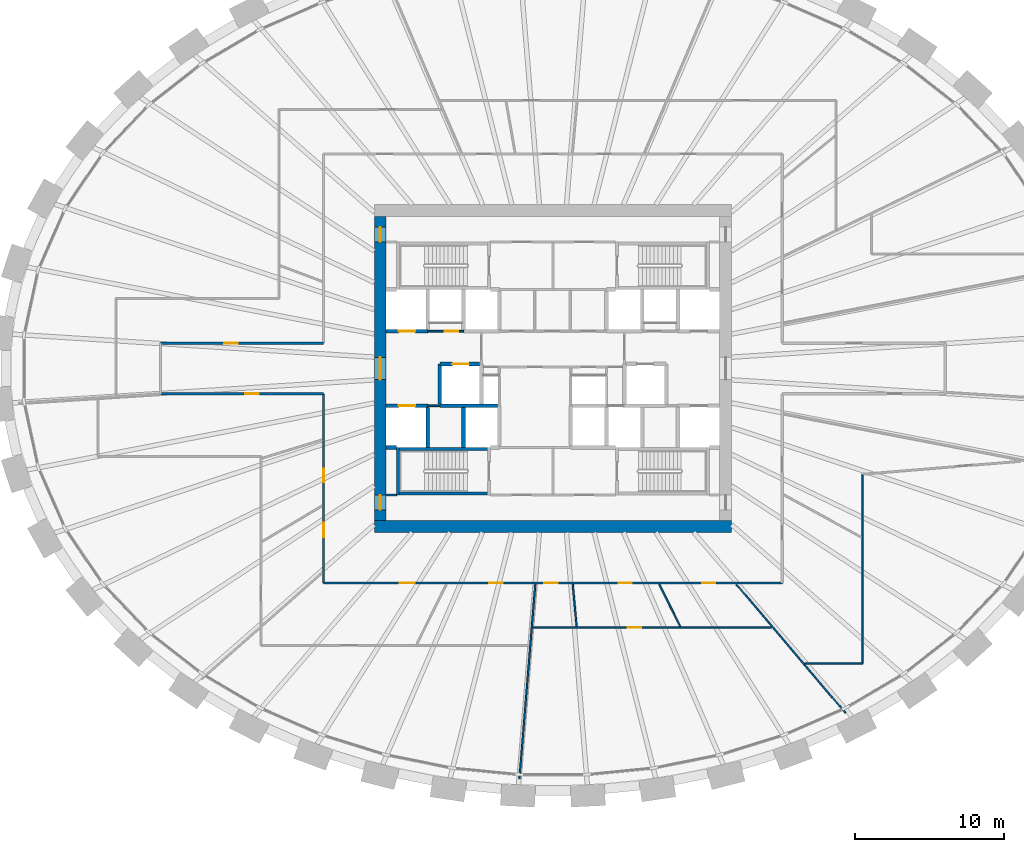
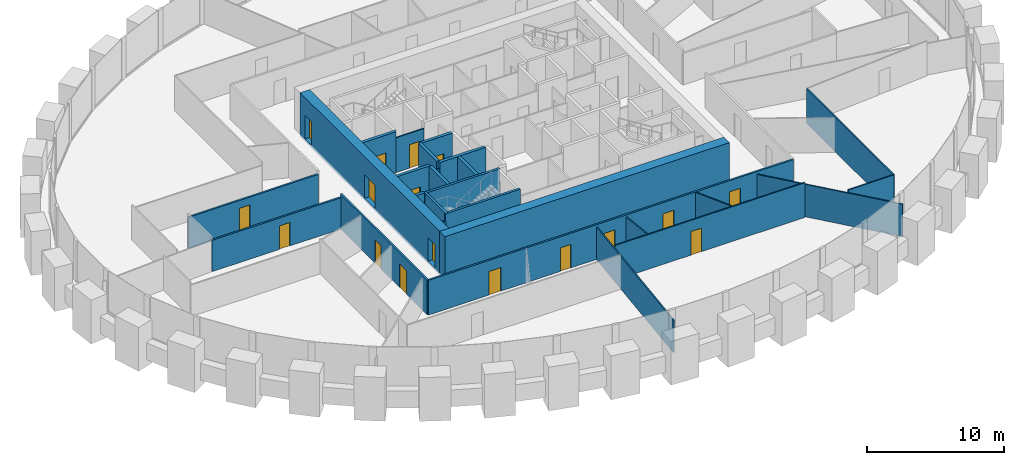
# One storey, part 6 of 10: 27 walls, 17 doors, 17 openings.
"""IFC4 building model written with IfcOpenShell, lengths in metres."""

from ifc_helpers import new_model, si_unit, direction, frame, frame_2d, origin, place, context, subcontext, project, spatial, rectangle, extrude, source, transform, mapped, material, layer, layer_set, type_object, element, fill, save


model = new_model("IFC4")

# Units and contexts
model_context = context("Model", 3, precision=1e-05, world=origin(), true_north=direction((0.0, 1.0)))
body_context = subcontext(model_context, "Body", "Model", "MODEL_VIEW")
ifc_project = project(units=[si_unit("LENGTHUNIT", "METRE"), si_unit("AREAUNIT", "SQUARE_METRE"), si_unit("VOLUMEUNIT", "CUBIC_METRE"), si_unit("PLANEANGLEUNIT", "RADIAN"), si_unit("MASSUNIT", "GRAM", prefix="KILO")], contexts=[model_context])

# Site, building, storey
site_placement = place(None, origin())
site = spatial("IfcSite", under=ifc_project, at=site_placement, CompositionType="ELEMENT")
building_placement = place(site_placement, origin())
building = spatial("IfcBuilding", under=site, at=building_placement, Name="Embergate Tower", CompositionType="ELEMENT")
storey_placement = place(building_placement, frame((0.0, 0.0, 183.300048828125)))
storey = spatial("IfcBuildingStorey", under=building, at=storey_placement, Name="L41", CompositionType="ELEMENT", Elevation=183.300048828125)

# Wall
ifc_material_1 = material(Name="Concrete C70", Category="concrete")
ifc_layer_1 = layer(ifc_material_1, 0.800048828125)
ifc_layer_set_1 = layer_set([ifc_layer_1], Name="Concrete C70")
wall_type_1 = type_object("IfcWallType", Name="Core outer wall C70 800", PredefinedType="SHEAR", material=ifc_layer_set_1)
shared_shape_1 = source(origin(), body_context, "Body", "SweptSolid", [
    extrude(rectangle(XDim=24.0, YDim=0.800048828125, at=frame_2d((12.0, 0.0))), origin(), (0.0, 0.0, 1.0), 3.89990234375),
])
wall_1_placement = place(storey_placement, frame((-12.0, -10.60009765625, -0.199951171875), z_axis=(0.0, 0.0, 1.0), x_axis=(1.0, 0.0, 0.0)))
element("IfcWall", 1, at=wall_1_placement, inside=storey, type_object=wall_type_1, Name="CW-L41-S", PredefinedType="SHEAR", context=body_context, shape_type="MappedRepresentation", body=[
    mapped(shared_shape_1, transform((0.0, 0.0, 0.0))),
])

# Wall, openings, doors
shared_shape_2 = source(origin(), body_context, "Body", "SweptSolid", [
    extrude(rectangle(XDim=20.39990234375, YDim=0.800048828125, at=frame_2d((10.199951171875, 0.0))), origin(), (0.0, 0.0, 1.0), 3.89990234375),
])
wall_2_placement = place(storey_placement, frame((-11.60009765625, -10.199951171875, -0.199951171875), z_axis=(0.0, 0.0, 1.0), x_axis=(0.0, 1.0, 0.0)))
wall_2 = element("IfcWall", 2, at=wall_2_placement, inside=storey, type_object=wall_type_1, Name="CW-L41-W", PredefinedType="SHEAR", context=body_context, shape_type="MappedRepresentation", body=[
    mapped(shared_shape_2, transform((0.0, 0.0, 0.0))),
])
shared_shape_3 = source(origin(), body_context, "Body", "SweptSolid", [
    extrude(rectangle(XDim=1.0, YDim=2.10009765625, at=frame_2d((0.5, 1.050048828125))), frame((0.0, 0.409912109375, 0.0), z_axis=(0.0, -1.0, 0.0), x_axis=(1.0, 0.0, 0.0)), (0.0, 0.0, 1.0), 0.820068359375),
])
opening_1_placement = place(wall_2_placement, frame((18.699951171875, 0.0, 0.199951171875)))
opening_1 = element("IfcOpeningElement", 3, at=opening_1_placement, cuts=wall_2, Name="Opening IF-1d", PredefinedType="OPENING", context=body_context, shape_type="MappedRepresentation", body=[
    mapped(shared_shape_3, transform((0.0, 0.0, 0.0))),
])
opening_2_placement = place(wall_2_placement, frame((0.699951171875, 0.0, 0.199951171875)))
opening_2 = element("IfcOpeningElement", 4, at=opening_2_placement, cuts=wall_2, Name="Opening IF-1d", PredefinedType="OPENING", context=body_context, shape_type="MappedRepresentation", body=[
    mapped(shared_shape_3, transform((0.0, 0.0, 0.0))),
])
shared_shape_4 = source(origin(), body_context, "Body", "SweptSolid", [
    extrude(rectangle(XDim=1.5, YDim=2.10009765625, at=frame_2d((0.75, 1.050048828125))), frame((0.0, 0.409912109375, 0.0), z_axis=(0.0, -1.0, 0.0), x_axis=(1.0, 0.0, 0.0)), (0.0, 0.0, 1.0), 0.820068359375),
])
opening_3_placement = place(wall_2_placement, frame((9.449951171875, 0.0, 0.199951171875)))
opening_3 = element("IfcOpeningElement", 5, at=opening_3_placement, cuts=wall_2, Name="Opening IF-3", PredefinedType="OPENING", context=body_context, shape_type="MappedRepresentation", body=[
    mapped(shared_shape_4, transform((0.0, 0.0, 0.0))),
])
ifc_material_2 = material(Name="Lobby fire door pair 1500")
door_type_1 = type_object("IfcDoorType", Name="Lobby fire door pair 1500", OperationType="DOUBLE_DOOR_SINGLE_SWING", PredefinedType="DOOR", material=ifc_material_2)
shared_shape_5 = source(origin(), body_context, "Body", "SweptSolid", [
    extrude(rectangle(XDim=1.5, YDim=2.10009765625, at=frame_2d((0.75, 1.050048828125))), frame((0.0, 0.02490234375, 0.0), z_axis=(0.0, -1.0, 0.0), x_axis=(1.0, 0.0, 0.0)), (0.0, 0.0, 1.0), 0.050048828125),
])
door_1_placement = place(opening_3_placement, origin())
door_1 = element("IfcDoor", 6, at=door_1_placement, inside=storey, type_object=door_type_1, Name="IF-3 door", OperationType="DOUBLE_DOOR_SINGLE_SWING", OverallHeight=2.10009765625, OverallWidth=1.5, PredefinedType="DOOR", context=body_context, shape_type="MappedRepresentation", body=[
    mapped(shared_shape_5, transform((0.0, 0.0, 0.0))),
])
fill(opening_3, door_1)
ifc_material_3 = material(Name="Escape fire door 1000")
door_type_2 = type_object("IfcDoorType", Name="Escape fire door 1000", OperationType="SINGLE_SWING_LEFT", PredefinedType="DOOR", material=ifc_material_3)
shared_shape_6 = source(origin(), body_context, "Body", "SweptSolid", [
    extrude(rectangle(XDim=1.0, YDim=2.10009765625, at=frame_2d((0.5, 1.050048828125))), frame((0.0, 0.02490234375, 0.0), z_axis=(0.0, -1.0, 0.0), x_axis=(1.0, 0.0, 0.0)), (0.0, 0.0, 1.0), 0.050048828125),
])
door_2_placement = place(opening_1_placement, origin())
door_2 = element("IfcDoor", 7, at=door_2_placement, inside=storey, type_object=door_type_2, Name="IF-1 door", OperationType="SINGLE_SWING_LEFT", OverallHeight=2.10009765625, OverallWidth=1.0, PredefinedType="DOOR", context=body_context, shape_type="MappedRepresentation", body=[
    mapped(shared_shape_6, transform((0.0, 0.0, 0.0))),
])
fill(opening_1, door_2)
door_3_placement = place(opening_2_placement, origin())
door_3 = element("IfcDoor", 8, at=door_3_placement, inside=storey, type_object=door_type_2, Name="IF-1 door", OperationType="SINGLE_SWING_RIGHT", OverallHeight=2.10009765625, OverallWidth=1.0, PredefinedType="DOOR", context=body_context, shape_type="MappedRepresentation", body=[
    mapped(shared_shape_6, transform((0.0, 0.0, 0.0))),
])
fill(opening_2, door_3)

# Wall, opening, door
ifc_material_4 = material(Name="Concrete C50", Category="concrete")
ifc_layer_2 = layer(ifc_material_4, 0.25)
ifc_layer_set_2 = layer_set([ifc_layer_2], Name="Concrete C50")
wall_type_2 = type_object("IfcWallType", Name="Hoistway wall reinforced concrete 250", PredefinedType="SHEAR", material=ifc_layer_set_2)
shared_shape_7 = source(origin(), body_context, "Body", "SweptSolid", [
    extrude(rectangle(XDim=2.675048828125, YDim=0.25, at=frame_2d((1.33740234375, 0.0))), origin(), (0.0, 0.0, 1.0), 3.699951171875),
])
wall_3_placement = place(storey_placement, frame((-4.925048828125, 0.300048828125, 0.0), z_axis=(0.0, 0.0, 1.0), x_axis=(-1.0, 0.0, 0.0)))
wall_3 = element("IfcWall", 9, at=wall_3_placement, inside=storey, type_object=wall_type_2, Name="HW-1 wall", PredefinedType="SHEAR", context=body_context, shape_type="MappedRepresentation", body=[
    mapped(shared_shape_7, transform((0.0, 0.0, 0.0))),
])
shared_shape_8 = source(origin(), body_context, "Body", "SweptSolid", [
    extrude(rectangle(XDim=1.10009765625, YDim=2.10009765625, at=frame_2d((0.550048828125, 1.050048828125))), frame((0.0, 0.135009765625, 0.0), z_axis=(0.0, -1.0, 0.0), x_axis=(1.0, 0.0, 0.0)), (0.0, 0.0, 1.0), 0.27001953125),
])
opening_4_placement = place(wall_3_placement, frame((0.72509765625, 0.0, 0.0)))
opening_4 = element("IfcOpeningElement", 10, at=opening_4_placement, cuts=wall_3, Name="Opening LD", PredefinedType="OPENING", context=body_context, shape_type="MappedRepresentation", body=[
    mapped(shared_shape_8, transform((0.0, 0.0, 0.0))),
])
ifc_material_5 = material(Name="Landing door sliding 1100")
door_type_3 = type_object("IfcDoorType", Name="Landing door sliding 1100", OperationType="SLIDING_TO_LEFT", PredefinedType="DOOR", material=ifc_material_5)
shared_shape_9 = source(origin(), body_context, "Body", "SweptSolid", [
    extrude(rectangle(XDim=1.10009765625, YDim=2.10009765625, at=frame_2d((0.550048828125, 1.050048828125))), frame((0.0, 0.02490234375, 0.0), z_axis=(0.0, -1.0, 0.0), x_axis=(1.0, 0.0, 0.0)), (0.0, 0.0, 1.0), 0.050048828125),
])
door_4_placement = place(opening_4_placement, origin())
door_4 = element("IfcDoor", 11, at=door_4_placement, inside=storey, type_object=door_type_3, Name="LD door", OperationType="SLIDING_TO_RIGHT", OverallHeight=2.10009765625, OverallWidth=1.10009765625, PredefinedType="DOOR", context=body_context, shape_type="MappedRepresentation", body=[
    mapped(shared_shape_9, transform((0.0, 0.0, 0.0))),
])
fill(opening_4, door_4)

# Walls
wall_4_placement = place(storey_placement, frame((-7.60009765625, 0.300048828125, 0.0), z_axis=(0.0, 0.0, 1.0), x_axis=(0.0, -1.0, 0.0)))
element("IfcWall", 12, at=wall_4_placement, inside=storey, type_object=wall_type_2, Name="HW-1 wall", PredefinedType="SHEAR", context=body_context, shape_type="MappedRepresentation", body=[
    mapped(shared_shape_7, transform((0.0, 0.0, 0.0))),
])
ifc_layer_3 = layer(ifc_material_4, 0.199951171875)
ifc_layer_set_3 = layer_set([ifc_layer_3], Name="Concrete C50")
wall_type_3 = type_object("IfcWallType", Name="Stair enclosure wall reinforced concrete 250", PredefinedType="SHEAR", material=ifc_layer_set_3)
shared_shape_10 = source(origin(), body_context, "Body", "SweptSolid", [
    extrude(rectangle(XDim=6.300048828125, YDim=0.199951171875, at=frame_2d((3.14990234375, 0.0))), origin(), (0.0, 0.0, 1.0), 3.699951171875),
])
for number, where, z_axis, x_axis, name in (
    (13, (-10.5, -5.39990234375, 0.0), (0.0, 0.0, 1.0), (1.0, 0.0, 0.0), "SE-1 wall"),
    (14, (-10.5, -8.39990234375, 0.0), (0.0, 0.0, 1.0), (1.0, 0.0, 0.0), "SE-1 wall"),
):
    element("IfcWall", number, at=place(storey_placement, frame(where, z_axis=z_axis, x_axis=x_axis)), inside=storey, type_object=wall_type_3, Name=name, PredefinedType="SHEAR", context=body_context, shape_type="MappedRepresentation", body=[
        mapped(shared_shape_10, transform((0.0, 0.0, 0.0))),
    ])

# Wall, opening, door
shared_shape_11 = source(origin(), body_context, "Body", "SweptSolid", [
    extrude(rectangle(XDim=2.800048828125, YDim=0.25, at=frame_2d((1.39990234375, 0.0))), origin(), (0.0, 0.0, 1.0), 3.699951171875),
])
wall_5_placement = place(storey_placement, frame((-11.199951171875, 2.5, 0.0), z_axis=(0.0, 0.0, 1.0), x_axis=(1.0, 0.0, 0.0)))
wall_5 = element("IfcWall", 15, at=wall_5_placement, inside=storey, type_object=wall_type_2, Name="HW-1 wall", PredefinedType="SHEAR", context=body_context, shape_type="MappedRepresentation", body=[
    mapped(shared_shape_11, transform((0.0, 0.0, 0.0))),
])
opening_5_placement = place(wall_5_placement, frame((0.85009765625, 0.0, 0.0)))
opening_5 = element("IfcOpeningElement", 16, at=opening_5_placement, cuts=wall_5, Name="Opening LD", PredefinedType="OPENING", context=body_context, shape_type="MappedRepresentation", body=[
    mapped(shared_shape_8, transform((0.0, 0.0, 0.0))),
])
door_5_placement = place(opening_5_placement, origin())
door_5 = element("IfcDoor", 17, at=door_5_placement, inside=storey, type_object=door_type_3, Name="LD door", OperationType="SLIDING_TO_LEFT", OverallHeight=2.10009765625, OverallWidth=1.10009765625, PredefinedType="DOOR", context=body_context, shape_type="MappedRepresentation", body=[
    mapped(shared_shape_9, transform((0.0, 0.0, 0.0))),
])
fill(opening_5, door_5)

wall_6_placement = place(storey_placement, frame((-8.39990234375, -2.5, 0.0), z_axis=(0.0, 0.0, 1.0), x_axis=(-1.0, 0.0, 0.0)))
wall_6 = element("IfcWall", 18, at=wall_6_placement, inside=storey, type_object=wall_type_2, Name="HW-1 wall", PredefinedType="SHEAR", context=body_context, shape_type="MappedRepresentation", body=[
    mapped(shared_shape_11, transform((0.0, 0.0, 0.0))),
])
opening_6_placement = place(wall_6_placement, frame((0.85009765625, 0.0, 0.0)))
opening_6 = element("IfcOpeningElement", 19, at=opening_6_placement, cuts=wall_6, Name="Opening LD", PredefinedType="OPENING", context=body_context, shape_type="MappedRepresentation", body=[
    mapped(shared_shape_8, transform((0.0, 0.0, 0.0))),
])
door_6_placement = place(opening_6_placement, origin())
door_6 = element("IfcDoor", 20, at=door_6_placement, inside=storey, type_object=door_type_3, Name="LD door", OperationType="SLIDING_TO_LEFT", OverallHeight=2.10009765625, OverallWidth=1.10009765625, PredefinedType="DOOR", context=body_context, shape_type="MappedRepresentation", body=[
    mapped(shared_shape_9, transform((0.0, 0.0, 0.0))),
])
fill(opening_6, door_6)

# Walls
shared_shape_12 = source(origin(), body_context, "Body", "SweptSolid", [
    extrude(rectangle(XDim=3.872802734375, YDim=0.25, at=frame_2d((1.9365234375, 0.0))), origin(), (0.0, 0.0, 1.0), 3.699951171875),
])
wall_7_placement = place(storey_placement, frame((-3.72509765625, -2.5, 0.0), z_axis=(0.0, 0.0, 1.0), x_axis=(-1.0, 0.0, 0.0)))
element("IfcWall", 21, at=wall_7_placement, inside=storey, type_object=wall_type_2, Name="HW-1 wall", PredefinedType="SHEAR", context=body_context, shape_type="MappedRepresentation", body=[
    mapped(shared_shape_12, transform((0.0, 0.0, 0.0))),
])
shared_shape_13 = source(origin(), body_context, "Body", "SweptSolid", [
    extrude(rectangle(XDim=3.196044921875, YDim=0.199951171875, at=frame_2d((1.59814453125, 0.0))), origin(), (0.0, 0.0, 1.0), 3.699951171875),
])
wall_8_placement = place(storey_placement, frame((-10.39990234375, -5.302001953125, 0.0), z_axis=(0.0, 0.0, 1.0), x_axis=(0.0, -1.0, 0.0)))
element("IfcWall", 22, at=wall_8_placement, inside=storey, type_object=wall_type_3, Name="SE-1 wall", PredefinedType="SHEAR", context=body_context, shape_type="MappedRepresentation", body=[
    mapped(shared_shape_13, transform((0.0, 0.0, 0.0))),
])
shared_shape_14 = source(origin(), body_context, "Body", "SweptSolid", [
    extrude(rectangle(XDim=0.697998046875, YDim=0.25, at=frame_2d((0.34912109375, 0.0))), origin(), (0.0, 0.0, 1.0), 3.699951171875),
])
wall_9_placement = place(storey_placement, frame((-11.199951171875, -5.300048828125, 0.0), z_axis=(0.0, 0.0, 1.0), x_axis=(1.0, 0.0, 0.0)))
element("IfcWall", 23, at=wall_9_placement, inside=storey, type_object=wall_type_2, Name="HW-1 wall", PredefinedType="SHEAR", context=body_context, shape_type="MappedRepresentation", body=[
    mapped(shared_shape_14, transform((0.0, 0.0, 0.0))),
])
shared_shape_15 = source(origin(), body_context, "Body", "SweptSolid", [
    extrude(rectangle(XDim=2.671142578125, YDim=0.25, at=frame_2d((1.33544921875, 0.0))), origin(), (0.0, 0.0, 1.0), 3.699951171875),
])
for number, where, z_axis, x_axis, name in (
    (24, (-8.39990234375, -5.298095703125, 0.0), (0.0, 0.0, 1.0), (0.0, 1.0, 0.0), "HW-1 wall"),
    (25, (-6.0, -2.626953125, 0.0), (0.0, 0.0, 1.0), (0.0, -1.0, 0.0), "HW-1 wall"),
):
    element("IfcWall", number, at=place(storey_placement, frame(where, z_axis=z_axis, x_axis=x_axis)), inside=storey, type_object=wall_type_2, Name=name, PredefinedType="SHEAR", context=body_context, shape_type="MappedRepresentation", body=[
        mapped(shared_shape_15, transform((0.0, 0.0, 0.0))),
    ])

# Wall, opening, door
ifc_material_6 = material(Name="Corridor wall dry-lined 150")
ifc_layer_4 = layer(ifc_material_6, 0.14990234375)
ifc_layer_set_4 = layer_set([ifc_layer_4], Name="Corridor wall dry-lined 150")
wall_type_4 = type_object("IfcWallType", Name="Corridor wall dry-lined 150", PredefinedType="PARTITIONING", material=ifc_layer_set_4)
shared_shape_16 = source(origin(), body_context, "Body", "SweptSolid", [
    extrude(rectangle(XDim=10.9501953125, YDim=0.14990234375, at=frame_2d((5.47509765625, 0.0))), origin(), (0.0, 0.0, 1.0), 2.800048828125),
])
wall_10_placement = place(storey_placement, frame((-15.39990234375, -1.699951171875, 0.0), z_axis=(0.0, 0.0, 1.0), x_axis=(-1.0, 0.0, 0.0)))
wall_10 = element("IfcWall", 26, at=wall_10_placement, inside=storey, type_object=wall_type_4, Name="IP-2 wall", PredefinedType="PARTITIONING", context=body_context, shape_type="MappedRepresentation", body=[
    mapped(shared_shape_16, transform((0.0, 0.0, 0.0))),
])
shared_shape_17 = source(origin(), body_context, "Body", "SweptSolid", [
    extrude(rectangle(XDim=0.89990234375, YDim=2.10009765625, at=frame_2d((0.449951171875, 1.050048828125))), frame((0.0, 0.0849609375, 0.0), z_axis=(0.0, -1.0, 0.0), x_axis=(1.0, 0.0, 0.0)), (0.0, 0.0, 1.0), 0.169921875),
])
opening_7_placement = place(wall_10_placement, frame((4.364013671875, 0.0, 0.0)))
opening_7 = element("IfcOpeningElement", 27, at=opening_7_placement, cuts=wall_10, Name="Opening IF-1c", PredefinedType="OPENING", context=body_context, shape_type="MappedRepresentation", body=[
    mapped(shared_shape_17, transform((0.0, 0.0, 0.0))),
])
ifc_material_7 = material(Name="Escape fire door 900")
door_type_4 = type_object("IfcDoorType", Name="Escape fire door 900", OperationType="SINGLE_SWING_LEFT", PredefinedType="DOOR", material=ifc_material_7)
shared_shape_18 = source(origin(), body_context, "Body", "SweptSolid", [
    extrude(rectangle(XDim=0.89990234375, YDim=2.10009765625, at=frame_2d((0.449951171875, 1.050048828125))), frame((0.0, 0.02490234375, 0.0), z_axis=(0.0, -1.0, 0.0), x_axis=(1.0, 0.0, 0.0)), (0.0, 0.0, 1.0), 0.050048828125),
])
door_7_placement = place(opening_7_placement, origin())
door_7 = element("IfcDoor", 28, at=door_7_placement, inside=storey, type_object=door_type_4, Name="IF-1 door", OperationType="SINGLE_SWING_RIGHT", OverallHeight=2.10009765625, OverallWidth=0.89990234375, PredefinedType="DOOR", context=body_context, shape_type="MappedRepresentation", body=[
    mapped(shared_shape_18, transform((0.0, 0.0, 0.0))),
])
fill(opening_7, door_7)

wall_11_placement = place(storey_placement, frame((-26.35009765625, 1.699951171875, 0.0), z_axis=(0.0, 0.0, 1.0), x_axis=(1.0, 0.0, 0.0)))
wall_11 = element("IfcWall", 29, at=wall_11_placement, inside=storey, type_object=wall_type_4, Name="IP-2 wall", PredefinedType="PARTITIONING", context=body_context, shape_type="MappedRepresentation", body=[
    mapped(shared_shape_16, transform((0.0, 0.0, 0.0))),
])
opening_8_placement = place(wall_11_placement, frame((4.26904296875, 0.0, 0.0)))
opening_8 = element("IfcOpeningElement", 30, at=opening_8_placement, cuts=wall_11, Name="Opening IF-1c", PredefinedType="OPENING", context=body_context, shape_type="MappedRepresentation", body=[
    mapped(shared_shape_17, transform((0.0, 0.0, 0.0))),
])
door_8_placement = place(opening_8_placement, origin())
door_8 = element("IfcDoor", 31, at=door_8_placement, inside=storey, type_object=door_type_4, Name="IF-1 door", OperationType="SINGLE_SWING_RIGHT", OverallHeight=2.10009765625, OverallWidth=0.89990234375, PredefinedType="DOOR", context=body_context, shape_type="MappedRepresentation", body=[
    mapped(shared_shape_18, transform((0.0, 0.0, 0.0))),
])
fill(opening_8, door_8)

ifc_material_8 = material(Name="Core partition blockwork 120")
ifc_layer_5 = layer(ifc_material_8, 0.1201171875)
ifc_layer_set_5 = layer_set([ifc_layer_5], Name="Core partition blockwork 120")
wall_type_5 = type_object("IfcWallType", Name="Core partition blockwork 120", PredefinedType="PARTITIONING", material=ifc_layer_set_5)
shared_shape_19 = source(origin(), body_context, "Body", "SweptSolid", [
    extrude(rectangle(XDim=2.39990234375, YDim=0.1201171875, at=frame_2d((1.199951171875, 0.0))), origin(), (0.0, 0.0, 1.0), 3.099853515625),
])
wall_12_placement = place(storey_placement, frame((-8.39990234375, 2.5, 0.0), z_axis=(0.0, 0.0, 1.0), x_axis=(1.0, 0.0, 0.0)))
wall_12 = element("IfcWall", 32, at=wall_12_placement, inside=storey, type_object=wall_type_5, Name="IP-3 wall", PredefinedType="PARTITIONING", context=body_context, shape_type="MappedRepresentation", body=[
    mapped(shared_shape_19, transform((0.0, 0.0, 0.0))),
])
shared_shape_20 = source(origin(), body_context, "Body", "SweptSolid", [
    extrude(rectangle(XDim=0.89990234375, YDim=2.10009765625, at=frame_2d((0.449951171875, 1.050048828125))), frame((0.0, 0.070068359375, 0.0), z_axis=(0.0, -1.0, 0.0), x_axis=(1.0, 0.0, 0.0)), (0.0, 0.0, 1.0), 0.14013671875),
])
opening_9_placement = place(wall_12_placement, frame((1.14990234375, 0.0, 0.0)))
opening_9 = element("IfcOpeningElement", 33, at=opening_9_placement, cuts=wall_12, Name="Opening ID-1", PredefinedType="OPENING", context=body_context, shape_type="MappedRepresentation", body=[
    mapped(shared_shape_20, transform((0.0, 0.0, 0.0))),
])
ifc_material_9 = material(Name="Interior door 900")
door_type_5 = type_object("IfcDoorType", Name="Interior door 900", OperationType="SINGLE_SWING_LEFT", PredefinedType="DOOR", material=ifc_material_9)
door_9_placement = place(opening_9_placement, origin())
door_9 = element("IfcDoor", 34, at=door_9_placement, inside=storey, type_object=door_type_5, Name="ID-1 door", OperationType="SINGLE_SWING_RIGHT", OverallHeight=2.10009765625, OverallWidth=0.89990234375, PredefinedType="DOOR", context=body_context, shape_type="MappedRepresentation", body=[
    mapped(shared_shape_18, transform((0.0, 0.0, 0.0))),
])
fill(opening_9, door_9)

# Walls
shared_shape_21 = source(origin(), body_context, "Body", "SweptSolid", [
    extrude(rectangle(XDim=0.7958984375, YDim=0.1201171875, at=frame_2d((0.39794921875, 0.0))), origin(), (0.0, 0.0, 1.0), 3.099853515625),
])
wall_13_placement = place(storey_placement, frame((-8.39794921875, -2.5, 0.0), z_axis=(0.0, 0.0, 1.0), x_axis=(1.0, 0.0, 0.0)))
element("IfcWall", 35, at=wall_13_placement, inside=storey, type_object=wall_type_5, Name="IP-3 wall", PredefinedType="PARTITIONING", context=body_context, shape_type="MappedRepresentation", body=[
    mapped(shared_shape_21, transform((0.0, 0.0, 0.0))),
])
shared_shape_22 = source(origin(), body_context, "Body", "SweptSolid", [
    extrude(rectangle(XDim=0.697998046875, YDim=0.1201171875, at=frame_2d((0.34912109375, 0.0))), origin(), (0.0, 0.0, 1.0), 3.099853515625),
])
wall_14_placement = place(storey_placement, frame((-10.501953125, -8.5, 0.0), z_axis=(0.0, 0.0, 1.0), x_axis=(-1.0, 0.0, 0.0)))
element("IfcWall", 36, at=wall_14_placement, inside=storey, type_object=wall_type_5, Name="IP-3 wall", PredefinedType="PARTITIONING", context=body_context, shape_type="MappedRepresentation", body=[
    mapped(shared_shape_22, transform((0.0, 0.0, 0.0))),
])
ifc_material_10 = material(Name="Partition dry-lined 100 wet")
ifc_layer_6 = layer(ifc_material_10, 0.10009765625)
ifc_layer_set_6 = layer_set([ifc_layer_6], Name="Partition dry-lined 100 wet")
wall_type_6 = type_object("IfcWallType", Name="Partition dry-lined 100 wet", PredefinedType="PLUMBINGWALL", material=ifc_layer_set_6)
shared_shape_23 = source(origin(), body_context, "Body", "SweptSolid", [
    extrude(rectangle(XDim=2.88720703125, YDim=0.10009765625, at=frame_2d((1.443603515625, 0.0))), origin(), (0.0, 0.0, 1.0), 2.89990234375),
])
wall_15_placement = place(storey_placement, frame((1.327880859375, -14.47509765625, 0.0), z_axis=(0.0, 0.0, 1.0), x_axis=(0.09149638687, -0.995805408295, 0.0)))
element("IfcWall", 37, at=wall_15_placement, inside=storey, type_object=wall_type_6, Name="IP-1 wall", PredefinedType="PLUMBINGWALL", context=body_context, shape_type="MappedRepresentation", body=[
    mapped(shared_shape_23, transform((0.0, 0.0, 0.0))),
])
shared_shape_24 = source(origin(), body_context, "Body", "SweptSolid", [
    extrude(rectangle(XDim=13.12158203125, YDim=0.10009765625, at=frame_2d((6.560791015625, 0.0))), origin(), (0.0, 0.0, 1.0), 2.89990234375),
])
wall_16_placement = place(storey_placement, frame((-1.18310546875, -14.47509765625, 0.0), z_axis=(0.0, 0.0, 1.0), x_axis=(-0.08145781893, -0.996676790005, 0.0)))
element("IfcWall", 38, at=wall_16_placement, inside=storey, type_object=wall_type_6, Name="IP-1 wall", PredefinedType="PLUMBINGWALL", context=body_context, shape_type="MappedRepresentation", body=[
    mapped(shared_shape_24, transform((0.0, 0.0, 0.0))),
])
shared_shape_25 = source(origin(), body_context, "Body", "SweptSolid", [
    extrude(rectangle(XDim=11.314453125, YDim=0.10009765625, at=frame_2d((5.6572265625, 0.0))), origin(), (0.0, 0.0, 1.0), 2.89990234375),
])
wall_17_placement = place(storey_placement, frame((12.321044921875, -14.507080078125, 0.0), z_axis=(0.0, 0.0, 1.0), x_axis=(0.64731764297, -0.762220354687, 0.0)))
element("IfcWall", 39, at=wall_17_placement, inside=storey, type_object=wall_type_6, Name="IP-1 wall", PredefinedType="PLUMBINGWALL", context=body_context, shape_type="MappedRepresentation", body=[
    mapped(shared_shape_25, transform((0.0, 0.0, 0.0))),
])

# Wall, openings, doors
shared_shape_26 = source(origin(), body_context, "Body", "SweptSolid", [
    extrude(rectangle(XDim=12.699951171875, YDim=0.14990234375, at=frame_2d((6.35009765625, 0.0))), origin(), (0.0, 0.0, 1.0), 3.099853515625),
])
wall_18_placement = place(storey_placement, frame((-15.39990234375, -14.39990234375, 0.0), z_axis=(0.0, 0.0, 1.0), x_axis=(0.0, 1.0, 0.0)))
wall_18 = element("IfcWall", 40, at=wall_18_placement, inside=storey, type_object=wall_type_4, Name="IP-2 wall", PredefinedType="PARTITIONING", context=body_context, shape_type="MappedRepresentation", body=[
    mapped(shared_shape_26, transform((0.0, 0.0, 0.0))),
])
opening_10_placement = place(wall_18_placement, frame((6.760986328125, 0.0, 0.0)))
opening_10 = element("IfcOpeningElement", 41, at=opening_10_placement, cuts=wall_18, Name="Opening IF-1c", PredefinedType="OPENING", context=body_context, shape_type="MappedRepresentation", body=[
    mapped(shared_shape_17, transform((0.0, 0.0, 0.0))),
])
shared_shape_27 = source(origin(), body_context, "Body", "SweptSolid", [
    extrude(rectangle(XDim=1.0, YDim=2.10009765625, at=frame_2d((0.5, 1.050048828125))), frame((0.0, 0.0849609375, 0.0), z_axis=(0.0, -1.0, 0.0), x_axis=(1.0, 0.0, 0.0)), (0.0, 0.0, 1.0), 0.169921875),
])
opening_11_placement = place(wall_18_placement, frame((3.052978515625, 0.0, 0.0)))
opening_11 = element("IfcOpeningElement", 42, at=opening_11_placement, cuts=wall_18, Name="Opening ID-2", PredefinedType="OPENING", context=body_context, shape_type="MappedRepresentation", body=[
    mapped(shared_shape_27, transform((0.0, 0.0, 0.0))),
])
door_10_placement = place(opening_10_placement, origin())
door_10 = element("IfcDoor", 43, at=door_10_placement, inside=storey, type_object=door_type_4, Name="IF-1 door", OperationType="SINGLE_SWING_RIGHT", OverallHeight=2.10009765625, OverallWidth=0.89990234375, PredefinedType="DOOR", context=body_context, shape_type="MappedRepresentation", body=[
    mapped(shared_shape_18, transform((0.0, 0.0, 0.0))),
])
fill(opening_10, door_10)
ifc_material_11 = material(Name="Interior door 1000")
door_type_6 = type_object("IfcDoorType", Name="Interior door 1000", OperationType="SINGLE_SWING_LEFT", PredefinedType="DOOR", material=ifc_material_11)
door_11_placement = place(opening_11_placement, origin())
door_11 = element("IfcDoor", 44, at=door_11_placement, inside=storey, type_object=door_type_6, Name="ID-2 door", OperationType="SINGLE_SWING_LEFT", OverallHeight=2.10009765625, OverallWidth=1.0, PredefinedType="DOOR", context=body_context, shape_type="MappedRepresentation", body=[
    mapped(shared_shape_6, transform((0.0, 0.0, 0.0))),
])
fill(opening_11, door_11)

shared_shape_28 = source(origin(), body_context, "Body", "SweptSolid", [
    extrude(rectangle(XDim=30.7998046875, YDim=0.14990234375, at=frame_2d((15.39990234375, 0.0))), origin(), (0.0, 0.0, 1.0), 3.099853515625),
])
wall_19_placement = place(storey_placement, frame((15.39990234375, -14.39990234375, 0.0), z_axis=(0.0, 0.0, 1.0), x_axis=(-1.0, 0.0, 0.0)))
wall_19 = element("IfcWall", 45, at=wall_19_placement, inside=storey, type_object=wall_type_4, Name="IP-2 wall", PredefinedType="PARTITIONING", context=body_context, shape_type="MappedRepresentation", body=[
    mapped(shared_shape_28, transform((0.0, 0.0, 0.0))),
])
opening_12_placement = place(wall_19_placement, frame((24.68505859375, 0.0, 0.0)))
opening_12 = element("IfcOpeningElement", 46, at=opening_12_placement, cuts=wall_19, Name="Opening ID-2", PredefinedType="OPENING", context=body_context, shape_type="MappedRepresentation", body=[
    mapped(shared_shape_27, transform((0.0, 0.0, 0.0))),
])
opening_13_placement = place(wall_19_placement, frame((18.783935546875, 0.0, 0.0)))
opening_13 = element("IfcOpeningElement", 47, at=opening_13_placement, cuts=wall_19, Name="Opening IF-1c", PredefinedType="OPENING", context=body_context, shape_type="MappedRepresentation", body=[
    mapped(shared_shape_17, transform((0.0, 0.0, 0.0))),
])
opening_14_placement = place(wall_19_placement, frame((15.068115234375, 0.0, 0.0)))
opening_14 = element("IfcOpeningElement", 48, at=opening_14_placement, cuts=wall_19, Name="Opening IF-1c", PredefinedType="OPENING", context=body_context, shape_type="MappedRepresentation", body=[
    mapped(shared_shape_17, transform((0.0, 0.0, 0.0))),
])
opening_15_placement = place(wall_19_placement, frame((10.096923828125, 0.0, 0.0)))
opening_15 = element("IfcOpeningElement", 49, at=opening_15_placement, cuts=wall_19, Name="Opening IF-1c", PredefinedType="OPENING", context=body_context, shape_type="MappedRepresentation", body=[
    mapped(shared_shape_17, transform((0.0, 0.0, 0.0))),
])
opening_16_placement = place(wall_19_placement, frame((4.486083984375, 0.0, 0.0)))
opening_16 = element("IfcOpeningElement", 50, at=opening_16_placement, cuts=wall_19, Name="Opening IF-1c", PredefinedType="OPENING", context=body_context, shape_type="MappedRepresentation", body=[
    mapped(shared_shape_17, transform((0.0, 0.0, 0.0))),
])
door_12_placement = place(opening_13_placement, origin())
door_12 = element("IfcDoor", 51, at=door_12_placement, inside=storey, type_object=door_type_4, Name="IF-1 door", OperationType="SINGLE_SWING_RIGHT", OverallHeight=2.10009765625, OverallWidth=0.89990234375, PredefinedType="DOOR", context=body_context, shape_type="MappedRepresentation", body=[
    mapped(shared_shape_18, transform((0.0, 0.0, 0.0))),
])
fill(opening_13, door_12)
door_13_placement = place(opening_14_placement, origin())
door_13 = element("IfcDoor", 52, at=door_13_placement, inside=storey, type_object=door_type_4, Name="IF-1 door", OperationType="SINGLE_SWING_RIGHT", OverallHeight=2.10009765625, OverallWidth=0.89990234375, PredefinedType="DOOR", context=body_context, shape_type="MappedRepresentation", body=[
    mapped(shared_shape_18, transform((0.0, 0.0, 0.0))),
])
fill(opening_14, door_13)
door_14_placement = place(opening_15_placement, origin())
door_14 = element("IfcDoor", 53, at=door_14_placement, inside=storey, type_object=door_type_4, Name="IF-1 door", OperationType="SINGLE_SWING_LEFT", OverallHeight=2.10009765625, OverallWidth=0.89990234375, PredefinedType="DOOR", context=body_context, shape_type="MappedRepresentation", body=[
    mapped(shared_shape_18, transform((0.0, 0.0, 0.0))),
])
fill(opening_15, door_14)
door_15_placement = place(opening_16_placement, origin())
door_15 = element("IfcDoor", 54, at=door_15_placement, inside=storey, type_object=door_type_4, Name="IF-1 door", OperationType="SINGLE_SWING_LEFT", OverallHeight=2.10009765625, OverallWidth=0.89990234375, PredefinedType="DOOR", context=body_context, shape_type="MappedRepresentation", body=[
    mapped(shared_shape_18, transform((0.0, 0.0, 0.0))),
])
fill(opening_16, door_15)
door_16_placement = place(opening_12_placement, origin())
door_16 = element("IfcDoor", 55, at=door_16_placement, inside=storey, type_object=door_type_6, Name="ID-2 door", OperationType="SINGLE_SWING_RIGHT", OverallHeight=2.10009765625, OverallWidth=1.0, PredefinedType="DOOR", context=body_context, shape_type="MappedRepresentation", body=[
    mapped(shared_shape_6, transform((0.0, 0.0, 0.0))),
])
fill(opening_12, door_16)

# Wall, opening, door
shared_shape_29 = source(origin(), body_context, "Body", "SweptSolid", [
    extrude(rectangle(XDim=16.0419921875, YDim=0.10009765625, at=frame_2d((8.02099609375, 0.0))), origin(), (0.0, 0.0, 1.0), 3.099853515625),
])
wall_20_placement = place(storey_placement, frame((14.669921875, -17.39990234375, 0.0), z_axis=(0.0, 0.0, 1.0), x_axis=(-1.0, 0.0, 0.0)))
wall_20 = element("IfcWall", 56, at=wall_20_placement, inside=storey, type_object=wall_type_6, Name="IP-1 wall", PredefinedType="PLUMBINGWALL", context=body_context, shape_type="MappedRepresentation", body=[
    mapped(shared_shape_29, transform((0.0, 0.0, 0.0))),
])
shared_shape_30 = source(origin(), body_context, "Body", "SweptSolid", [
    extrude(rectangle(XDim=0.89990234375, YDim=2.10009765625, at=frame_2d((0.449951171875, 1.050048828125))), frame((0.0, 0.06005859375, 0.0), z_axis=(0.0, -1.0, 0.0), x_axis=(1.0, 0.0, 0.0)), (0.0, 0.0, 1.0), 0.1201171875),
])
opening_17_placement = place(wall_20_placement, frame((8.746826171875, 0.0, 0.0)))
opening_17 = element("IfcOpeningElement", 57, at=opening_17_placement, cuts=wall_20, Name="Opening ID-1", PredefinedType="OPENING", context=body_context, shape_type="MappedRepresentation", body=[
    mapped(shared_shape_30, transform((0.0, 0.0, 0.0))),
])
door_17_placement = place(opening_17_placement, origin())
door_17 = element("IfcDoor", 58, at=door_17_placement, inside=storey, type_object=door_type_5, Name="ID-1 door", OperationType="SINGLE_SWING_LEFT", OverallHeight=2.10009765625, OverallWidth=0.89990234375, PredefinedType="DOOR", context=body_context, shape_type="MappedRepresentation", body=[
    mapped(shared_shape_18, transform((0.0, 0.0, 0.0))),
])
fill(opening_17, door_17)

# Walls
shared_shape_31 = source(origin(), body_context, "Body", "SweptSolid", [
    extrude(rectangle(XDim=3.15625, YDim=0.10009765625, at=frame_2d((1.578125, 0.0))), origin(), (0.0, 0.0, 1.0), 3.099853515625),
])
wall_21_placement = place(storey_placement, frame((7.14892578125, -14.4970703125, 0.0), z_axis=(0.0, 0.0, 1.0), x_axis=(0.442287370256, -0.896873392465, 0.0)))
element("IfcWall", 59, at=wall_21_placement, inside=storey, type_object=wall_type_6, Name="IP-1 wall", PredefinedType="PLUMBINGWALL", context=body_context, shape_type="MappedRepresentation", body=[
    mapped(shared_shape_31, transform((0.0, 0.0, 0.0))),
])
ifc_material_12 = material(Name="Partition dry-lined 100")
ifc_layer_7 = layer(ifc_material_12, 0.10009765625)
ifc_layer_set_7 = layer_set([ifc_layer_7], Name="Partition dry-lined 100")
wall_type_7 = type_object("IfcWallType", Name="Partition dry-lined 100", PredefinedType="PARTITIONING", material=ifc_layer_set_7)
shared_shape_32 = source(origin(), body_context, "Body", "SweptSolid", [
    extrude(rectangle(XDim=3.8759765625, YDim=0.10009765625, at=frame_2d((1.93798828125, 0.0))), origin(), (0.0, 0.0, 1.0), 3.099853515625),
])
wall_22_placement = place(storey_placement, frame((16.924072265625, -19.800048828125, 0.0), z_axis=(0.0, 0.0, 1.0), x_axis=(1.0, 0.0, 0.0)))
element("IfcWall", 60, at=wall_22_placement, inside=storey, type_object=wall_type_7, Name="IP-1 wall", PredefinedType="PARTITIONING", context=body_context, shape_type="MappedRepresentation", body=[
    mapped(shared_shape_32, transform((0.0, 0.0, 0.0))),
])
shared_shape_33 = source(origin(), body_context, "Body", "SweptSolid", [
    extrude(rectangle(XDim=12.699951171875, YDim=0.10009765625, at=frame_2d((6.35009765625, 0.0))), origin(), (0.0, 0.0, 1.0), 3.099853515625),
])
wall_23_placement = place(storey_placement, frame((20.800048828125, -19.800048828125, 0.0), z_axis=(0.0, 0.0, 1.0), x_axis=(0.0, 1.0, 0.0)))
element("IfcWall", 61, at=wall_23_placement, inside=storey, type_object=wall_type_7, Name="IP-1 wall", PredefinedType="PARTITIONING", context=body_context, shape_type="MappedRepresentation", body=[
    mapped(shared_shape_33, transform((0.0, 0.0, 0.0))),
])

save(model, "model.ifc")
